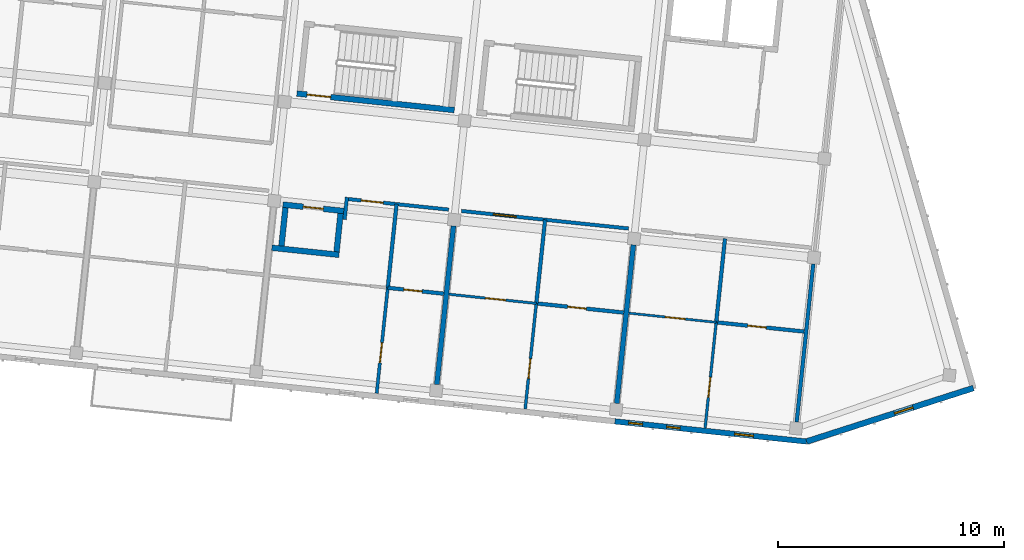
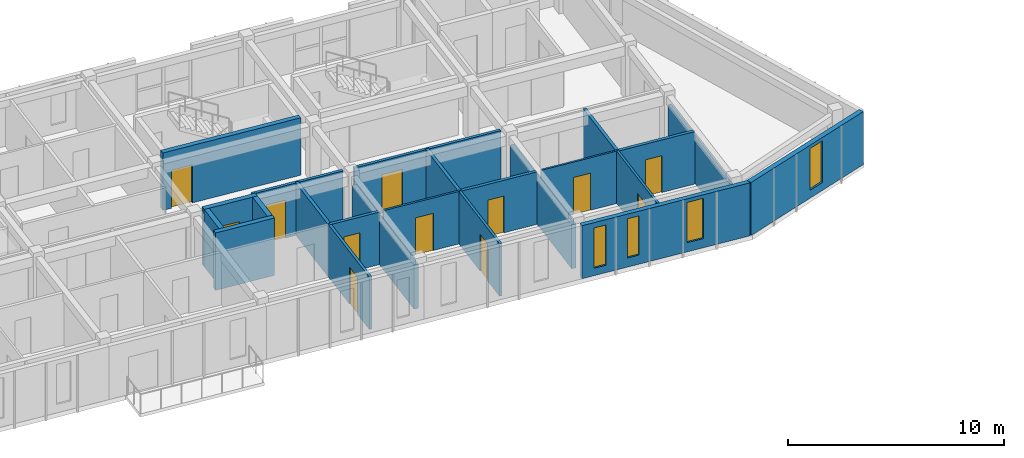
# One storey, part 36 of 65: 24 walls, 12 doors, 4 windows, 16 openings.
"""IFC4 building model written with IfcOpenShell, lengths in metres."""

from ifc_helpers import new_model, si_unit, direction, frame, frame_2d, origin, place, context, subcontext, project, spatial, rectangle, extrude, material, layer, layer_set, type_object, element, fill, save


model = new_model("IFC4")

# Units and contexts
model_context = context("Model", 3, precision=1e-05, world=origin(), true_north=direction((0.0, 1.0)))
body_context = subcontext(model_context, "Body", "Model", "MODEL_VIEW")
ifc_project = project(units=[si_unit("LENGTHUNIT", "METRE"), si_unit("AREAUNIT", "SQUARE_METRE"), si_unit("VOLUMEUNIT", "CUBIC_METRE"), si_unit("PLANEANGLEUNIT", "RADIAN"), si_unit("MASSUNIT", "GRAM", prefix="KILO")], contexts=[model_context])

# Site, building, storey
site_placement = place(None, origin())
site = spatial("IfcSite", under=ifc_project, at=site_placement, CompositionType="ELEMENT")
building_placement = place(site_placement, origin())
building = spatial("IfcBuilding", under=site, at=building_placement, Name="Kestramere Prow Commons", CompositionType="ELEMENT")
storey_placement = place(building_placement, frame((0.0, 0.0, 21.39990234375)))
storey = spatial("IfcBuildingStorey", under=building, at=storey_placement, Name="L06", CompositionType="ELEMENT", Elevation=21.39990234375)

# Wall, opening, window
ifc_material_1 = material(Name="Weathered Zinc-Titanium Standing-Seam Cladding")
ifc_layer_1 = layer(ifc_material_1, 0.260009765625)
ifc_layer_set_1 = layer_set([ifc_layer_1], Name="Weathered Zinc-Titanium Standing-Seam Cladding")
wall_type_1 = type_object("IfcWallType", Name="EW-PROW-260", PredefinedType="SOLIDWALL", material=ifc_layer_set_1)
wall_1_placement = place(storey_placement, frame((165.587158203125, 91.57177734375, 0.0), z_axis=(0.0, 0.0, 1.0), x_axis=(-0.9522851043, -0.305209895201, 0.0)))
wall_1 = element("IfcWall", 1, at=wall_1_placement, inside=storey, type_object=wall_type_1, Name="Block B L06 PRW-S Facet Wall", PredefinedType="SOLIDWALL", context=body_context, shape_type="SweptSolid", body=[
    extrude(rectangle(XDim=7.752685546875, YDim=0.260009765625, at=frame_2d((3.87646484375, 0.0))), origin(), (0.0, 0.0, 1.0), 3.0),
])
opening_1_placement = place(wall_1_placement, frame((2.81005859375, 0.0, 0.449951171875)))
opening_1 = element("IfcOpeningElement", 2, at=opening_1_placement, cuts=wall_1, Name="Opening WN-15", PredefinedType="OPENING", context=body_context, shape_type="SweptSolid", body=[
    extrude(rectangle(XDim=0.860107421875, YDim=2.360107421875, at=frame_2d((0.43017578125, 1.18017578125))), frame((0.0, 0.14501953125, 0.0), z_axis=(0.0, -1.0, 0.0), x_axis=(1.0, 0.0, 0.0)), (0.0, 0.0, 1.0), 0.2900390625),
])
ifc_material_2 = material(Name="Low-E Laminated Double Glazing", Category="glass")
window_type_1 = type_object("IfcWindowType", Name="WN-NAR-860A", PartitioningType="DOUBLE_PANEL_VERTICAL", PredefinedType="WINDOW", material=ifc_material_2)
window_1_placement = place(opening_1_placement, origin())
window_1 = element("IfcWindow", 3, at=window_1_placement, inside=storey, type_object=window_type_1, Name="WN-B-L06-PRW-S-0", OverallHeight=2.360107421875, OverallWidth=0.860107421875, PartitioningType="SINGLE_PANEL", PredefinedType="WINDOW", context=body_context, shape_type="SweptSolid", body=[
    extrude(rectangle(XDim=0.860107421875, YDim=2.360107421875, at=frame_2d((0.43017578125, 1.18017578125))), frame((0.0, 0.030029296875, 0.0), z_axis=(0.0, -1.0, 0.0), x_axis=(1.0, 0.0, 0.0)), (0.0, 0.0, 1.0), 0.06005859375),
])
fill(opening_1, window_1)

# Wall, openings, windows
ifc_material_3 = material(Name="Fluoropolymer Standing-Seam Zinc-Aluminium Cladding", Category="aluminium")
ifc_layer_2 = layer(ifc_material_3, 0.239990234375)
ifc_layer_set_2 = layer_set([ifc_layer_2], Name="Fluoropolymer Standing-Seam Zinc-Aluminium Cladding")
wall_type_2 = type_object("IfcWallType", Name="EW-SEAM-240", PredefinedType="SOLIDWALL", material=ifc_layer_set_2)
wall_2_placement = place(storey_placement, frame((158.204345703125, 89.20556640625, 0.0), z_axis=(0.0, 0.0, 1.0), x_axis=(-0.994521760736, 0.104529744196, 0.0)))
wall_2 = element("IfcWall", 4, at=wall_2_placement, inside=storey, type_object=wall_type_2, Name="Block B L06 South Standing-Seam Wall 6", PredefinedType="SOLIDWALL", context=body_context, shape_type="SweptSolid", body=[
    extrude(rectangle(XDim=8.52490234375, YDim=0.239990234375, at=frame_2d((4.262451171875, 0.0))), origin(), (0.0, 0.0, 1.0), 3.0),
])
opening_2_placement = place(wall_2_placement, frame((2.3623046875, 0.0, 0.52001953125)))
opening_2 = element("IfcOpeningElement", 5, at=opening_2_placement, cuts=wall_2, Name="Opening WN-14", PredefinedType="OPENING", context=body_context, shape_type="SweptSolid", body=[
    extrude(rectangle(XDim=0.840087890625, YDim=2.280029296875, at=frame_2d((0.419921875, 1.14013671875))), frame((0.0, 0.135009765625, 0.0), z_axis=(0.0, -1.0, 0.0), x_axis=(1.0, 0.0, 0.0)), (0.0, 0.0, 1.0), 0.27001953125),
])
opening_3_placement = place(wall_2_placement, frame((5.625, 0.0, 0.52001953125)))
opening_3 = element("IfcOpeningElement", 6, at=opening_3_placement, cuts=wall_2, Name="Opening WN-02", PredefinedType="OPENING", context=body_context, shape_type="SweptSolid", body=[
    extrude(rectangle(XDim=0.60009765625, YDim=2.219970703125, at=frame_2d((0.300048828125, 1.10986328125))), frame((0.0, 0.135009765625, 0.0), z_axis=(0.0, -1.0, 0.0), x_axis=(1.0, 0.0, 0.0)), (0.0, 0.0, 1.0), 0.27001953125),
])
opening_4_placement = place(wall_2_placement, frame((7.294921875, 0.0, 0.419921875)))
opening_4 = element("IfcOpeningElement", 7, at=opening_4_placement, cuts=wall_2, Name="Opening WN-03", PredefinedType="OPENING", context=body_context, shape_type="SweptSolid", body=[
    extrude(rectangle(XDim=0.6201171875, YDim=2.280029296875, at=frame_2d((0.31005859375, 1.14013671875))), frame((0.0, 0.135009765625, 0.0), z_axis=(0.0, -1.0, 0.0), x_axis=(1.0, 0.0, 0.0)), (0.0, 0.0, 1.0), 0.27001953125),
])
window_type_2 = type_object("IfcWindowType", Name="WN-NAR-600A", PartitioningType="SINGLE_PANEL", PredefinedType="WINDOW", material=ifc_material_2)
window_2_placement = place(opening_3_placement, origin())
window_2 = element("IfcWindow", 8, at=window_2_placement, inside=storey, type_object=window_type_2, Name="WN-B-L06-S-5-10", OverallHeight=2.219970703125, OverallWidth=0.60009765625, PartitioningType="SINGLE_PANEL", PredefinedType="WINDOW", context=body_context, shape_type="SweptSolid", body=[
    extrude(rectangle(XDim=0.60009765625, YDim=2.219970703125, at=frame_2d((0.300048828125, 1.10986328125))), frame((0.0, 0.030029296875, 0.0), z_axis=(0.0, -1.0, 0.0), x_axis=(1.0, 0.0, 0.0)), (0.0, 0.0, 1.0), 0.06005859375),
])
fill(opening_3, window_2)
window_type_3 = type_object("IfcWindowType", Name="WN-NAR-620A", PartitioningType="SINGLE_PANEL", PredefinedType="WINDOW", material=ifc_material_2)
window_3_placement = place(opening_4_placement, origin())
window_3 = element("IfcWindow", 9, at=window_3_placement, inside=storey, type_object=window_type_3, Name="WN-B-L06-S-5-11", OverallHeight=2.280029296875, OverallWidth=0.6201171875, PartitioningType="SINGLE_PANEL", PredefinedType="WINDOW", context=body_context, shape_type="SweptSolid", body=[
    extrude(rectangle(XDim=0.6201171875, YDim=2.280029296875, at=frame_2d((0.31005859375, 1.14013671875))), frame((0.0, 0.030029296875, 0.0), z_axis=(0.0, -1.0, 0.0), x_axis=(1.0, 0.0, 0.0)), (0.0, 0.0, 1.0), 0.06005859375),
])
fill(opening_4, window_3)
window_type_4 = type_object("IfcWindowType", Name="WN-NAR-840A", PartitioningType="DOUBLE_PANEL_VERTICAL", PredefinedType="WINDOW", material=ifc_material_2)
window_4_placement = place(opening_2_placement, origin())
window_4 = element("IfcWindow", 10, at=window_4_placement, inside=storey, type_object=window_type_4, Name="WN-B-L06-S-5-00", OverallHeight=2.280029296875, OverallWidth=0.840087890625, PartitioningType="SINGLE_PANEL", PredefinedType="WINDOW", context=body_context, shape_type="SweptSolid", body=[
    extrude(rectangle(XDim=0.840087890625, YDim=2.280029296875, at=frame_2d((0.419921875, 1.14013671875))), frame((0.0, 0.030029296875, 0.0), z_axis=(0.0, -1.0, 0.0), x_axis=(1.0, 0.0, 0.0)), (0.0, 0.0, 1.0), 0.06005859375),
])
fill(opening_2, window_4)

# Wall, opening, door
ifc_material_4 = material(Name="Concrete C40/50", Category="concrete")
ifc_layer_3 = layer(ifc_material_4, 0.25)
ifc_layer_set_3 = layer_set([ifc_layer_3], Name="Concrete C40/50")
wall_type_3 = type_object("IfcWallType", Name="W-CORE-250", PredefinedType="SHEAR", material=ifc_layer_set_3)
wall_3_placement = place(storey_placement, frame((135.66455078125, 104.595947265625, 0.0), z_axis=(0.0, 0.0, 1.0), x_axis=(0.994522066748, -0.104526832686, 0.0)))
wall_3 = element("IfcWall", 11, at=wall_3_placement, inside=storey, type_object=wall_type_3, Name="ST-B1 L06 Corridor Shaft Wall", PredefinedType="SHEAR", context=body_context, shape_type="SweptSolid", body=[
    extrude(rectangle(XDim=7.0, YDim=0.25, at=frame_2d((3.5, 0.0))), origin(), (0.0, 0.0, 1.0), 3.25),
])
opening_5_placement = place(wall_3_placement, frame((0.449951171875, 0.0, 0.0)))
opening_5 = element("IfcOpeningElement", 12, at=opening_5_placement, cuts=wall_3, Name="Opening ID-01", PredefinedType="OPENING", context=body_context, shape_type="SweptSolid", body=[
    extrude(rectangle(XDim=1.050048828125, YDim=2.14990234375, at=frame_2d((0.52490234375, 1.074951171875))), frame((0.0, 0.139892578125, 0.0), z_axis=(0.0, -1.0, 0.0), x_axis=(1.0, 0.0, 0.0)), (0.0, 0.0, 1.0), 0.280029296875),
])
ifc_material_5 = material(Name="Fire-Rated Timber and Steel Frame", Category="steel")
door_type_1 = type_object("IfcDoorType", Name="FD-ST-01", OperationType="NOTDEFINED", PredefinedType="DOOR", material=ifc_material_5)
door_1_placement = place(opening_5_placement, origin())
door_1 = element("IfcDoor", 13, at=door_1_placement, inside=storey, type_object=door_type_1, Name="ST-B1 L06 Protected Stair Door", OperationType="SINGLE_SWING_LEFT", OverallHeight=2.14990234375, OverallWidth=1.050048828125, PredefinedType="DOOR", context=body_context, shape_type="SweptSolid", body=[
    extrude(rectangle(XDim=1.050048828125, YDim=2.14990234375, at=frame_2d((0.52490234375, 1.074951171875))), frame((0.0, 0.02490234375, 0.0), z_axis=(0.0, -1.0, 0.0), x_axis=(1.0, 0.0, 0.0)), (0.0, 0.0, 1.0), 0.050048828125),
])
fill(opening_5, door_1)

# Wall
ifc_material_6 = material(Name="Fire-Rated Calcium Silicate Wall")
ifc_layer_4 = layer(ifc_material_6, 0.155029296875)
ifc_layer_set_4 = layer_set([ifc_layer_4], Name="Fire-Rated Calcium Silicate Wall")
wall_type_4 = type_object("IfcWallType", Name="W-FIRE-150", PredefinedType="PARTITIONING", material=ifc_layer_set_4)
wall_4_placement = place(storey_placement, frame((137.773193359375, 99.02001953125, 0.0), z_axis=(0.0, 0.0, 1.0), x_axis=(0.104531505358, 0.994521575627, 0.0)))
element("IfcWall", 14, at=wall_4_placement, inside=storey, type_object=wall_type_4, Name="Interior Partition PW-B-L06-HS-CLOSER", PredefinedType="PARTITIONING", context=body_context, shape_type="SweptSolid", body=[
    extrude(rectangle(XDim=0.994873046875, YDim=0.155029296875, at=frame_2d((0.49755859375, 0.0))), origin(), (0.0, 0.0, 1.0), 2.97021484375),
])

# Wall, opening, door
wall_5_placement = place(storey_placement, frame((137.948974609375, 99.926513671875, 0.0), z_axis=(0.0, 0.0, 1.0), x_axis=(0.994524354209, -0.104505066315, 0.0)))
wall_5 = element("IfcWall", 15, at=wall_5_placement, inside=storey, type_object=wall_type_4, Name="Interior Partition PW-B-L06-CS-3", PredefinedType="PARTITIONING", context=body_context, shape_type="SweptSolid", body=[
    extrude(rectangle(XDim=4.455078125, YDim=0.155029296875, at=frame_2d((2.2275390625, 0.0))), origin(), (0.0, 0.0, 1.0), 2.97021484375),
])
opening_6_placement = place(wall_5_placement, frame((0.556884765625, 0.0, 0.0)))
opening_6 = element("IfcOpeningElement", 16, at=opening_6_placement, cuts=wall_5, Name="Opening ID-04", PredefinedType="OPENING", context=body_context, shape_type="SweptSolid", body=[
    extrude(rectangle(XDim=0.97998046875, YDim=2.14990234375, at=frame_2d((0.489990234375, 1.074951171875))), frame((0.0, 0.092529296875, 0.0), z_axis=(0.0, -1.0, 0.0), x_axis=(1.0, 0.0, 0.0)), (0.0, 0.0, 1.0), 0.18505859375),
])
ifc_material_7 = material(Name="Hardwood Fire-Rated Flat Entrance Door", Category="wood")
door_type_2 = type_object("IfcDoorType", Name="FD-ENT-01", OperationType="NOTDEFINED", PredefinedType="DOOR", material=ifc_material_7)
door_2_placement = place(opening_6_placement, origin())
door_2 = element("IfcDoor", 17, at=door_2_placement, inside=storey, type_object=door_type_2, Name="Interior Door DR-B-L06-ENT-S3", OperationType="SINGLE_SWING_RIGHT", OverallHeight=2.14990234375, OverallWidth=0.97998046875, PredefinedType="DOOR", context=body_context, shape_type="SweptSolid", body=[
    extrude(rectangle(XDim=0.97998046875, YDim=2.14990234375, at=frame_2d((0.489990234375, 1.074951171875))), frame((0.0, 0.02490234375, 0.0), z_axis=(0.0, -1.0, 0.0), x_axis=(1.0, 0.0, 0.0)), (0.0, 0.0, 1.0), 0.050048828125),
])
fill(opening_6, door_2)

wall_6_placement = place(storey_placement, frame((142.946533203125, 99.4013671875, 0.0), z_axis=(0.0, 0.0, 1.0), x_axis=(0.994522184982, -0.104525707739, 0.0)))
wall_6 = element("IfcWall", 18, at=wall_6_placement, inside=storey, type_object=wall_type_4, Name="Interior Partition PW-B-L06-CS-4", PredefinedType="PARTITIONING", context=body_context, shape_type="SweptSolid", body=[
    extrude(rectangle(XDim=7.429931640625, YDim=0.155029296875, at=frame_2d((3.71484375, 0.0))), origin(), (0.0, 0.0, 1.0), 2.97021484375),
])
opening_7_placement = place(wall_6_placement, frame((1.405029296875, 0.0, 0.0)))
opening_7 = element("IfcOpeningElement", 19, at=opening_7_placement, cuts=wall_6, Name="Opening ID-05", PredefinedType="OPENING", context=body_context, shape_type="SweptSolid", body=[
    extrude(rectangle(XDim=1.02001953125, YDim=2.199951171875, at=frame_2d((0.510009765625, 1.10009765625))), frame((0.0, 0.092529296875, 0.0), z_axis=(0.0, -1.0, 0.0), x_axis=(1.0, 0.0, 0.0)), (0.0, 0.0, 1.0), 0.18505859375),
])
door_type_3 = type_object("IfcDoorType", Name="FD-ENT-02", OperationType="NOTDEFINED", PredefinedType="DOOR", material=ifc_material_7)
door_3_placement = place(opening_7_placement, origin())
door_3 = element("IfcDoor", 20, at=door_3_placement, inside=storey, type_object=door_type_3, Name="Interior Door DR-B-L06-ENT-S4", OperationType="SINGLE_SWING_LEFT", OverallHeight=2.199951171875, OverallWidth=1.02001953125, PredefinedType="DOOR", context=body_context, shape_type="SweptSolid", body=[
    extrude(rectangle(XDim=1.02001953125, YDim=2.199951171875, at=frame_2d((0.510009765625, 1.10009765625))), frame((0.0, 0.02490234375, 0.0), z_axis=(0.0, -1.0, 0.0), x_axis=(1.0, 0.0, 0.0)), (0.0, 0.0, 1.0), 0.050048828125),
])
fill(opening_7, door_3)

# Wall
ifc_layer_5 = layer(ifc_material_4, 0.25)
ifc_layer_set_5 = layer_set([ifc_layer_5], Name="Concrete C40/50")
wall_type_5 = type_object("IfcWallType", Name="W-HS-250", PredefinedType="SHEAR", material=ifc_layer_set_5)
wall_7_placement = place(storey_placement, frame((134.555419921875, 97.774658203125, 0.0), z_axis=(0.0, 0.0, 1.0), x_axis=(0.994514844427, -0.104595526741, 0.0)))
element("IfcWall", 21, at=wall_7_placement, inside=storey, type_object=wall_type_5, Name="Block B L06 Household Shelter South Wall", PredefinedType="SHEAR", context=body_context, shape_type="SweptSolid", body=[
    extrude(rectangle(XDim=2.989990234375, YDim=0.25, at=frame_2d((1.4951171875, 0.0))), origin(), (0.0, 0.0, 1.0), 3.25),
])

# Wall, opening, door
wall_8_placement = place(storey_placement, frame((135.047607421875, 99.68359375, 0.0), z_axis=(0.0, 0.0, 1.0), x_axis=(0.994522285292, -0.104524753323, 0.0)))
wall_8 = element("IfcWall", 22, at=wall_8_placement, inside=storey, type_object=wall_type_5, Name="Block B L06 Household Shelter North Wall", PredefinedType="SHEAR", context=body_context, shape_type="SweptSolid", body=[
    extrude(rectangle(XDim=2.7001953125, YDim=0.25, at=frame_2d((1.35009765625, 0.0))), origin(), (0.0, 0.0, 1.0), 3.25),
])
opening_8_placement = place(wall_8_placement, frame((0.89990234375, 0.0, 0.0)))
opening_8 = element("IfcOpeningElement", 23, at=opening_8_placement, cuts=wall_8, Name="Opening ID-06", PredefinedType="OPENING", context=body_context, shape_type="SweptSolid", body=[
    extrude(rectangle(XDim=0.89990234375, YDim=2.050048828125, at=frame_2d((0.449951171875, 1.02490234375))), frame((0.0, 0.139892578125, 0.0), z_axis=(0.0, -1.0, 0.0), x_axis=(1.0, 0.0, 0.0)), (0.0, 0.0, 1.0), 0.280029296875),
])
ifc_material_8 = material(Name="Galvanised Steel S275JR Household Shelter Door", Category="steel")
door_type_4 = type_object("IfcDoorType", Name="FD-HS-01", OperationType="NOTDEFINED", PredefinedType="DOOR", material=ifc_material_8)
door_4_placement = place(opening_8_placement, origin())
door_4 = element("IfcDoor", 24, at=door_4_placement, inside=storey, type_object=door_type_4, Name="Block B L06 Household Shelter Blast Door", OperationType="SINGLE_SWING_RIGHT", OverallHeight=2.050048828125, OverallWidth=0.89990234375, PredefinedType="DOOR", context=body_context, shape_type="SweptSolid", body=[
    extrude(rectangle(XDim=0.89990234375, YDim=2.050048828125, at=frame_2d((0.449951171875, 1.02490234375))), frame((0.0, 0.02490234375, 0.0), z_axis=(0.0, -1.0, 0.0), x_axis=(1.0, 0.0, 0.0)), (0.0, 0.0, 1.0), 0.050048828125),
])
fill(opening_8, door_4)

# Walls
for number, where, z_axis, x_axis, name in (
    (25, (134.981201171875, 97.85546875, 0.0), (0.0, 0.0, 1.0), (0.104550220202, 0.994519608382, 0.0), "Block B L06 Household Shelter W Wall"),
    (26, (137.417724609375, 97.599365234375, 0.0), (0.0, 0.0, 1.0), (0.104550220202, 0.994519608382, 0.0), "Block B L06 Household Shelter E Wall"),
):
    element("IfcWall", number, at=place(storey_placement, frame(where, z_axis=z_axis, x_axis=x_axis)), inside=storey, type_object=wall_type_5, Name=name, PredefinedType="SHEAR", context=body_context, shape_type="SweptSolid", body=[
        extrude(rectangle(XDim=1.699951171875, YDim=0.25, at=frame_2d((0.85009765625, 0.0))), origin(), (0.0, 0.0, 1.0), 3.25),
    ])

# Wall, opening, door
ifc_material_9 = material(Name="Gypsum Acoustic Drywall")
ifc_layer_6 = layer(ifc_material_9, 0.10009765625)
ifc_layer_set_6 = layer_set([ifc_layer_6], Name="Gypsum Acoustic Drywall")
wall_type_6 = type_object("IfcWallType", Name="W-PART-100", PredefinedType="PARTITIONING", material=ifc_layer_set_6)
wall_9_placement = place(storey_placement, frame((150.3447265625, 94.88330078125, 0.0), z_axis=(0.0, 0.0, 1.0), x_axis=(0.994524375082, -0.104504867671, 0.0)))
wall_9 = element("IfcWall", 27, at=wall_9_placement, inside=storey, type_object=wall_type_6, Name="Interior Partition PW-B-L06-MIDS1-5", PredefinedType="PARTITIONING", context=body_context, shape_type="SweptSolid", body=[
    extrude(rectangle(XDim=3.885009765625, YDim=0.10009765625, at=frame_2d((1.9423828125, 0.0))), origin(), (0.0, 0.0, 1.0), 2.97021484375),
])
opening_9_placement = place(wall_9_placement, frame((1.625, 0.0, 0.0)))
opening_9 = element("IfcOpeningElement", 28, at=opening_9_placement, cuts=wall_9, Name="Opening ID-10", PredefinedType="OPENING", context=body_context, shape_type="SweptSolid", body=[
    extrude(rectangle(XDim=0.8798828125, YDim=2.10009765625, at=frame_2d((0.43994140625, 1.050048828125))), frame((0.0, 0.06494140625, 0.0), z_axis=(0.0, -1.0, 0.0), x_axis=(1.0, 0.0, 0.0)), (0.0, 0.0, 1.0), 0.130126953125),
])
ifc_material_10 = material(Name="Engineered Timber Bedroom Door", Category="wood")
door_type_5 = type_object("IfcDoorType", Name="D-RM-03", OperationType="NOTDEFINED", PredefinedType="DOOR", material=ifc_material_10)
door_5_placement = place(opening_9_placement, origin())
door_5 = element("IfcDoor", 29, at=door_5_placement, inside=storey, type_object=door_type_5, Name="Interior Door DR-B-L06-KL-S5", OperationType="SINGLE_SWING_RIGHT", OverallHeight=2.10009765625, OverallWidth=0.8798828125, PredefinedType="DOOR", context=body_context, shape_type="SweptSolid", body=[
    extrude(rectangle(XDim=0.8798828125, YDim=2.10009765625, at=frame_2d((0.43994140625, 1.050048828125))), frame((0.0, 0.02490234375, 0.0), z_axis=(0.0, -1.0, 0.0), x_axis=(1.0, 0.0, 0.0)), (0.0, 0.0, 1.0), 0.050048828125),
])
fill(opening_9, door_5)

ifc_layer_7 = layer(ifc_material_9, 0.110107421875)
ifc_layer_set_7 = layer_set([ifc_layer_7], Name="Gypsum Acoustic Drywall")
wall_type_7 = type_object("IfcWallType", Name="W-PART-110", PredefinedType="PARTITIONING", material=ifc_layer_set_7)
wall_10_placement = place(storey_placement, frame((142.388427734375, 95.719482421875, 0.0), z_axis=(0.0, 0.0, 1.0), x_axis=(0.994524375082, -0.104504867671, 0.0)))
wall_10 = element("IfcWall", 30, at=wall_10_placement, inside=storey, type_object=wall_type_7, Name="Interior Partition PW-B-L06-MIDS1-4", PredefinedType="PARTITIONING", context=body_context, shape_type="SweptSolid", body=[
    extrude(rectangle(XDim=3.885009765625, YDim=0.110107421875, at=frame_2d((1.9423828125, 0.0))), origin(), (0.0, 0.0, 1.0), 2.97021484375),
])
opening_10_placement = place(wall_10_placement, frame((1.625, 0.0, 0.0)))
opening_10 = element("IfcOpeningElement", 31, at=opening_10_placement, cuts=wall_10, Name="Opening ID-08", PredefinedType="OPENING", context=body_context, shape_type="SweptSolid", body=[
    extrude(rectangle(XDim=0.89990234375, YDim=2.10009765625, at=frame_2d((0.449951171875, 1.050048828125))), frame((0.0, 0.070068359375, 0.0), z_axis=(0.0, -1.0, 0.0), x_axis=(1.0, 0.0, 0.0)), (0.0, 0.0, 1.0), 0.14013671875),
])
ifc_material_11 = material(Name="Engineered Timber Flush Door", Category="wood")
door_type_6 = type_object("IfcDoorType", Name="D-RM-01", OperationType="NOTDEFINED", PredefinedType="DOOR", material=ifc_material_11)
door_6_placement = place(opening_10_placement, origin())
door_6 = element("IfcDoor", 32, at=door_6_placement, inside=storey, type_object=door_type_6, Name="Interior Door DR-B-L06-KL-S4", OperationType="SINGLE_SWING_RIGHT", OverallHeight=2.10009765625, OverallWidth=0.89990234375, PredefinedType="DOOR", context=body_context, shape_type="SweptSolid", body=[
    extrude(rectangle(XDim=0.89990234375, YDim=2.10009765625, at=frame_2d((0.449951171875, 1.050048828125))), frame((0.0, 0.02490234375, 0.0), z_axis=(0.0, -1.0, 0.0), x_axis=(1.0, 0.0, 0.0)), (0.0, 0.0, 1.0), 0.050048828125),
])
fill(opening_10, door_6)

ifc_material_12 = material(Name="Lightweight Blockwork and Plaster", Category="masonry")
ifc_layer_8 = layer(ifc_material_12, 0.1201171875)
ifc_layer_set_8 = layer_set([ifc_layer_8], Name="Lightweight Blockwork and Plaster")
wall_type_8 = type_object("IfcWallType", Name="W-PART-120", PredefinedType="PARTITIONING", material=ifc_layer_set_8)
wall_11_placement = place(storey_placement, frame((153.71826171875, 89.81298828125, 0.0), z_axis=(0.0, 0.0, 1.0), x_axis=(0.104527618124, 0.994521984196, 0.0)))
wall_11 = element("IfcWall", 33, at=wall_11_placement, inside=storey, type_object=wall_type_8, Name="Interior Partition PW-B-L06-LB-S5", PredefinedType="PARTITIONING", context=body_context, shape_type="SweptSolid", body=[
    extrude(rectangle(XDim=4.68994140625, YDim=0.1201171875, at=frame_2d((2.344970703125, 0.0))), origin(), (0.0, 0.0, 1.0), 2.97021484375),
])
opening_11_placement = place(wall_11_placement, frame((1.35009765625, 0.0, 0.0)))
opening_11 = element("IfcOpeningElement", 34, at=opening_11_placement, cuts=wall_11, Name="Opening ID-08", PredefinedType="OPENING", context=body_context, shape_type="SweptSolid", body=[
    extrude(rectangle(XDim=0.89990234375, YDim=2.10009765625, at=frame_2d((0.449951171875, 1.050048828125))), frame((0.0, 0.074951171875, 0.0), z_axis=(0.0, -1.0, 0.0), x_axis=(1.0, 0.0, 0.0)), (0.0, 0.0, 1.0), 0.150146484375),
])
door_7_placement = place(opening_11_placement, origin())
door_7 = element("IfcDoor", 35, at=door_7_placement, inside=storey, type_object=door_type_6, Name="Interior Door DR-B-L06-BED-S5", OperationType="SINGLE_SWING_RIGHT", OverallHeight=2.10009765625, OverallWidth=0.89990234375, PredefinedType="DOOR", context=body_context, shape_type="SweptSolid", body=[
    extrude(rectangle(XDim=0.89990234375, YDim=2.10009765625, at=frame_2d((0.449951171875, 1.050048828125))), frame((0.0, 0.02490234375, 0.0), z_axis=(0.0, -1.0, 0.0), x_axis=(1.0, 0.0, 0.0)), (0.0, 0.0, 1.0), 0.050048828125),
])
fill(opening_11, door_7)

ifc_layer_9 = layer(ifc_material_12, 0.1298828125)
ifc_layer_set_9 = layer_set([ifc_layer_9], Name="Lightweight Blockwork and Plaster")
wall_type_9 = type_object("IfcWallType", Name="W-PART-130", PredefinedType="PARTITIONING", material=ifc_layer_set_9)
wall_12_placement = place(storey_placement, frame((145.761962890625, 90.649169921875, 0.0), z_axis=(0.0, 0.0, 1.0), x_axis=(0.104527618124, 0.994521984196, 0.0)))
wall_12 = element("IfcWall", 36, at=wall_12_placement, inside=storey, type_object=wall_type_9, Name="Interior Partition PW-B-L06-LB-S4", PredefinedType="PARTITIONING", context=body_context, shape_type="SweptSolid", body=[
    extrude(rectangle(XDim=4.68994140625, YDim=0.1298828125, at=frame_2d((2.344970703125, 0.0))), origin(), (0.0, 0.0, 1.0), 2.97021484375),
])
opening_12_placement = place(wall_12_placement, frame((1.35009765625, 0.0, 0.0)))
opening_12 = element("IfcOpeningElement", 37, at=opening_12_placement, cuts=wall_12, Name="Opening ID-10", PredefinedType="OPENING", context=body_context, shape_type="SweptSolid", body=[
    extrude(rectangle(XDim=0.8798828125, YDim=2.10009765625, at=frame_2d((0.43994140625, 1.050048828125))), frame((0.0, 0.079833984375, 0.0), z_axis=(0.0, -1.0, 0.0), x_axis=(1.0, 0.0, 0.0)), (0.0, 0.0, 1.0), 0.159912109375),
])
door_8_placement = place(opening_12_placement, origin())
door_8 = element("IfcDoor", 38, at=door_8_placement, inside=storey, type_object=door_type_5, Name="Interior Door DR-B-L06-BED-S4", OperationType="SINGLE_SWING_LEFT", OverallHeight=2.10009765625, OverallWidth=0.8798828125, PredefinedType="DOOR", context=body_context, shape_type="SweptSolid", body=[
    extrude(rectangle(XDim=0.8798828125, YDim=2.10009765625, at=frame_2d((0.43994140625, 1.050048828125))), frame((0.0, 0.02490234375, 0.0), z_axis=(0.0, -1.0, 0.0), x_axis=(1.0, 0.0, 0.0)), (0.0, 0.0, 1.0), 0.050048828125),
])
fill(opening_12, door_8)

ifc_material_13 = material(Name="Masonry Compartment Wall", Category="masonry")
ifc_layer_10 = layer(ifc_material_13, 0.139892578125)
ifc_layer_set_10 = layer_set([ifc_layer_10], Name="Masonry Compartment Wall")
wall_type_10 = type_object("IfcWallType", Name="W-PART-140", PredefinedType="PARTITIONING", material=ifc_layer_set_10)
wall_13_placement = place(storey_placement, frame((139.193115234375, 91.339599609375, 0.0), z_axis=(0.0, 0.0, 1.0), x_axis=(0.104527618124, 0.994521984196, 0.0)))
wall_13 = element("IfcWall", 39, at=wall_13_placement, inside=storey, type_object=wall_type_10, Name="Interior Partition PW-B-L06-LB-S3", PredefinedType="PARTITIONING", context=body_context, shape_type="SweptSolid", body=[
    extrude(rectangle(XDim=4.68994140625, YDim=0.139892578125, at=frame_2d((2.344970703125, 0.0))), origin(), (0.0, 0.0, 1.0), 2.97021484375),
])
opening_13_placement = place(wall_13_placement, frame((1.35009765625, 0.0, 0.0)))
opening_13 = element("IfcOpeningElement", 40, at=opening_13_placement, cuts=wall_13, Name="Opening ID-08", PredefinedType="OPENING", context=body_context, shape_type="SweptSolid", body=[
    extrude(rectangle(XDim=0.89990234375, YDim=2.10009765625, at=frame_2d((0.449951171875, 1.050048828125))), frame((0.0, 0.0849609375, 0.0), z_axis=(0.0, -1.0, 0.0), x_axis=(1.0, 0.0, 0.0)), (0.0, 0.0, 1.0), 0.169921875),
])
door_9_placement = place(opening_13_placement, origin())
door_9 = element("IfcDoor", 41, at=door_9_placement, inside=storey, type_object=door_type_6, Name="Interior Door DR-B-L06-BED-S3", OperationType="SINGLE_SWING_RIGHT", OverallHeight=2.10009765625, OverallWidth=0.89990234375, PredefinedType="DOOR", context=body_context, shape_type="SweptSolid", body=[
    extrude(rectangle(XDim=0.89990234375, YDim=2.10009765625, at=frame_2d((0.449951171875, 1.050048828125))), frame((0.0, 0.02490234375, 0.0), z_axis=(0.0, -1.0, 0.0), x_axis=(1.0, 0.0, 0.0)), (0.0, 0.0, 1.0), 0.050048828125),
])
fill(opening_13, door_9)

# Wall
ifc_material_14 = material(Name="Waterproof Sanitary Masonry Wall", Category="masonry")
ifc_layer_11 = layer(ifc_material_14, 0.1650390625)
ifc_layer_set_11 = layer_set([ifc_layer_11], Name="Waterproof Sanitary Masonry Wall")
wall_type_11 = type_object("IfcWallType", Name="W-PLUMB-150", PredefinedType="PLUMBINGWALL", material=ifc_layer_set_11)
wall_14_placement = place(storey_placement, frame((157.766845703125, 90.066162109375, 0.0), z_axis=(0.0, 0.0, 1.0), x_axis=(0.104532929154, 0.994521425975, 0.0)))
element("IfcWall", 42, at=wall_14_placement, inside=storey, type_object=wall_type_11, Name="Interior Partition PW-B-L06-PRWE-S", PredefinedType="PLUMBINGWALL", context=body_context, shape_type="SweptSolid", body=[
    extrude(rectangle(XDim=7.030029296875, YDim=0.1650390625, at=frame_2d((3.51513671875, 0.0))), origin(), (0.0, 0.0, 1.0), 2.5),
])

# Wall, opening, door
wall_15_placement = place(storey_placement, frame((139.683349609375, 96.00390625, 0.0), z_axis=(0.0, 0.0, 1.0), x_axis=(0.994523702879, -0.104511264518, 0.0)))
wall_15 = element("IfcWall", 43, at=wall_15_placement, inside=storey, type_object=wall_type_11, Name="Interior Partition PW-B-L06-MIDS2-3", PredefinedType="PLUMBINGWALL", context=body_context, shape_type="SweptSolid", body=[
    extrude(rectangle(XDim=2.490234375, YDim=0.1650390625, at=frame_2d((1.2451171875, 0.0))), origin(), (0.0, 0.0, 1.0), 2.97021484375),
])
opening_14_placement = place(wall_15_placement, frame((0.702880859375, 0.0, 0.0)))
opening_14 = element("IfcOpeningElement", 44, at=opening_14_placement, cuts=wall_15, Name="Opening ID-11", PredefinedType="OPENING", context=body_context, shape_type="SweptSolid", body=[
    extrude(rectangle(XDim=0.820068359375, YDim=2.080078125, at=frame_2d((0.41015625, 1.0400390625))), frame((0.0, 0.097412109375, 0.0), z_axis=(0.0, -1.0, 0.0), x_axis=(1.0, 0.0, 0.0)), (0.0, 0.0, 1.0), 0.195068359375),
])
ifc_material_15 = material(Name="Moisture-Resistant Timber Bathroom Door", Category="wood")
door_type_7 = type_object("IfcDoorType", Name="D-BT-01", OperationType="NOTDEFINED", PredefinedType="DOOR", material=ifc_material_15)
door_10_placement = place(opening_14_placement, origin())
door_10 = element("IfcDoor", 45, at=door_10_placement, inside=storey, type_object=door_type_7, Name="Interior Door DR-B-L06-BTH-S3", OperationType="SINGLE_SWING_LEFT", OverallHeight=2.080078125, OverallWidth=0.820068359375, PredefinedType="DOOR", context=body_context, shape_type="SweptSolid", body=[
    extrude(rectangle(XDim=0.820068359375, YDim=2.080078125, at=frame_2d((0.41015625, 1.0400390625))), frame((0.0, 0.02490234375, 0.0), z_axis=(0.0, -1.0, 0.0), x_axis=(1.0, 0.0, 0.0)), (0.0, 0.0, 1.0), 0.050048828125),
])
fill(opening_14, door_10)

# Wall
wall_16_placement = place(storey_placement, frame((139.683349609375, 96.00390625, 0.0), z_axis=(0.0, 0.0, 1.0), x_axis=(0.104551541926, 0.994519469433, 0.0)))
element("IfcWall", 46, at=wall_16_placement, inside=storey, type_object=wall_type_11, Name="Interior Partition PW-B-L06-KB-S3", PredefinedType="PLUMBINGWALL", context=body_context, shape_type="SweptSolid", body=[
    extrude(rectangle(XDim=3.719970703125, YDim=0.1650390625, at=frame_2d((1.85986328125, 0.0))), origin(), (0.0, 0.0, 1.0), 2.97021484375),
])

# Wall, opening, door
wall_17_placement = place(storey_placement, frame((146.252197265625, 95.3134765625, 0.0), z_axis=(0.0, 0.0, 1.0), x_axis=(0.994517841934, -0.104567021925, 0.0)))
wall_17 = element("IfcWall", 47, at=wall_17_placement, inside=storey, type_object=wall_type_11, Name="Interior Partition PW-B-L06-MIDS2-4", PredefinedType="PLUMBINGWALL", context=body_context, shape_type="SweptSolid", body=[
    extrude(rectangle(XDim=3.885009765625, YDim=0.1650390625, at=frame_2d((1.9423828125, 0.0))), origin(), (0.0, 0.0, 1.0), 2.97021484375),
])
opening_15_placement = place(wall_17_placement, frame((1.39990234375, 0.0, 0.0)))
opening_15 = element("IfcOpeningElement", 48, at=opening_15_placement, cuts=wall_17, Name="Opening ID-11", PredefinedType="OPENING", context=body_context, shape_type="SweptSolid", body=[
    extrude(rectangle(XDim=0.820068359375, YDim=2.080078125, at=frame_2d((0.41015625, 1.0400390625))), frame((0.0, 0.097412109375, 0.0), z_axis=(0.0, -1.0, 0.0), x_axis=(1.0, 0.0, 0.0)), (0.0, 0.0, 1.0), 0.195068359375),
])
door_11_placement = place(opening_15_placement, origin())
door_11 = element("IfcDoor", 49, at=door_11_placement, inside=storey, type_object=door_type_7, Name="Interior Door DR-B-L06-BTH-S4", OperationType="SINGLE_SWING_LEFT", OverallHeight=2.080078125, OverallWidth=0.820068359375, PredefinedType="DOOR", context=body_context, shape_type="SweptSolid", body=[
    extrude(rectangle(XDim=0.820068359375, YDim=2.080078125, at=frame_2d((0.41015625, 1.0400390625))), frame((0.0, 0.02490234375, 0.0), z_axis=(0.0, -1.0, 0.0), x_axis=(1.0, 0.0, 0.0)), (0.0, 0.0, 1.0), 0.050048828125),
])
fill(opening_15, door_11)

# Wall
wall_18_placement = place(storey_placement, frame((146.252197265625, 95.3134765625, 0.0), z_axis=(0.0, 0.0, 1.0), x_axis=(0.104551541926, 0.994519469433, 0.0)))
element("IfcWall", 50, at=wall_18_placement, inside=storey, type_object=wall_type_11, Name="Interior Partition PW-B-L06-KB-S4", PredefinedType="PLUMBINGWALL", context=body_context, shape_type="SweptSolid", body=[
    extrude(rectangle(XDim=3.719970703125, YDim=0.1650390625, at=frame_2d((1.85986328125, 0.0))), origin(), (0.0, 0.0, 1.0), 2.97021484375),
])

# Wall, opening, door
wall_19_placement = place(storey_placement, frame((154.20849609375, 94.477294921875, 0.0), z_axis=(0.0, 0.0, 1.0), x_axis=(0.994521863919, -0.104528762491, 0.0)))
wall_19 = element("IfcWall", 51, at=wall_19_placement, inside=storey, type_object=wall_type_11, Name="Interior Partition PW-B-L06-MIDS2-5", PredefinedType="PLUMBINGWALL", context=body_context, shape_type="SweptSolid", body=[
    extrude(rectangle(XDim=3.909912109375, YDim=0.1650390625, at=frame_2d((1.955078125, 0.0))), origin(), (0.0, 0.0, 1.0), 2.97021484375),
])
opening_16_placement = place(wall_19_placement, frame((1.39990234375, 0.0, 0.0)))
opening_16 = element("IfcOpeningElement", 52, at=opening_16_placement, cuts=wall_19, Name="Opening ID-11", PredefinedType="OPENING", context=body_context, shape_type="SweptSolid", body=[
    extrude(rectangle(XDim=0.820068359375, YDim=2.080078125, at=frame_2d((0.41015625, 1.0400390625))), frame((0.0, 0.097412109375, 0.0), z_axis=(0.0, -1.0, 0.0), x_axis=(1.0, 0.0, 0.0)), (0.0, 0.0, 1.0), 0.195068359375),
])
door_12_placement = place(opening_16_placement, origin())
door_12 = element("IfcDoor", 53, at=door_12_placement, inside=storey, type_object=door_type_7, Name="Interior Door DR-B-L06-BTH-S5", OperationType="SINGLE_SWING_LEFT", OverallHeight=2.080078125, OverallWidth=0.820068359375, PredefinedType="DOOR", context=body_context, shape_type="SweptSolid", body=[
    extrude(rectangle(XDim=0.820068359375, YDim=2.080078125, at=frame_2d((0.41015625, 1.0400390625))), frame((0.0, 0.02490234375, 0.0), z_axis=(0.0, -1.0, 0.0), x_axis=(1.0, 0.0, 0.0)), (0.0, 0.0, 1.0), 0.050048828125),
])
fill(opening_16, door_12)

# Walls
wall_20_placement = place(storey_placement, frame((154.20849609375, 94.477294921875, 0.0), z_axis=(0.0, 0.0, 1.0), x_axis=(0.104486626828, 0.994526291666, 0.0)))
element("IfcWall", 54, at=wall_20_placement, inside=storey, type_object=wall_type_11, Name="Interior Partition PW-B-L06-KB-S5", PredefinedType="PLUMBINGWALL", context=body_context, shape_type="SweptSolid", body=[
    extrude(rectangle(XDim=3.7197265625, YDim=0.1650390625, at=frame_2d((1.85986328125, 0.0))), origin(), (0.0, 0.0, 1.0), 2.97021484375),
])
ifc_material_16 = material(Name="Precast concrete C40/50", Category="concrete")
ifc_layer_12 = layer(ifc_material_16, 0.219970703125)
ifc_layer_set_12 = layer_set([ifc_layer_12], Name="Precast concrete C40/50")
wall_type_12 = type_object("IfcWallType", Name="W-XWALL-220", PredefinedType="SHEAR", material=ifc_layer_set_12)
for number, where, z_axis, x_axis, name in (
    (55, (141.853515625, 91.728515625, 0.0), (0.0, 0.0, 1.0), (0.104511730475, 0.994523653913, 0.0), "Block B L06 Precast Cross-Wall 4"),
    (56, (149.8095703125, 90.892333984375, 0.0), (0.0, 0.0, 1.0), (0.104545981508, 0.994520053971, 0.0), "Block B L06 Precast Cross-Wall 5"),
):
    element("IfcWall", number, at=place(storey_placement, frame(where, z_axis=z_axis, x_axis=x_axis)), inside=storey, type_object=wall_type_12, Name=name, PredefinedType="SHEAR", context=body_context, shape_type="SweptSolid", body=[
        extrude(rectangle(XDim=7.050048828125, YDim=0.219970703125, at=frame_2d((3.52490234375, 0.0))), origin(), (0.0, 0.0, 1.0), 2.5),
    ])

save(model, "model.ifc")
